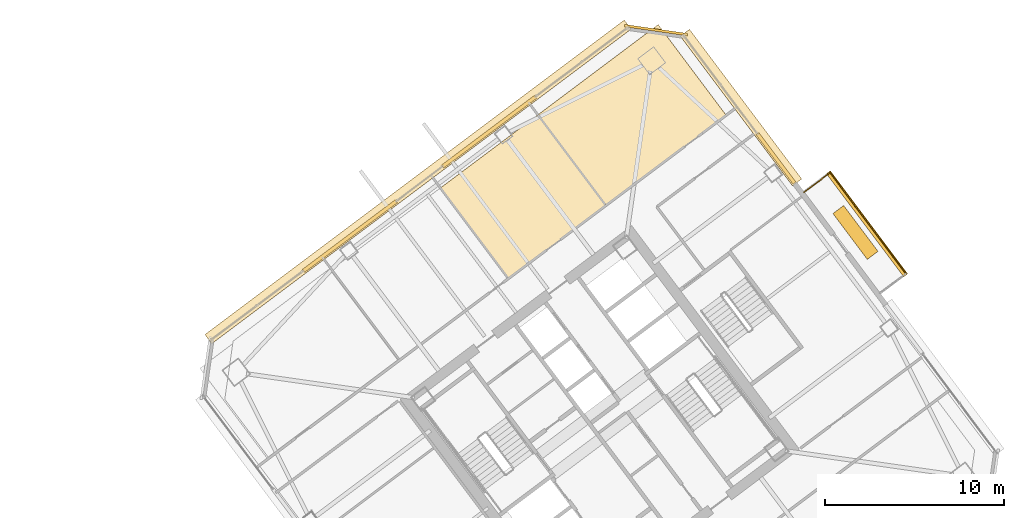
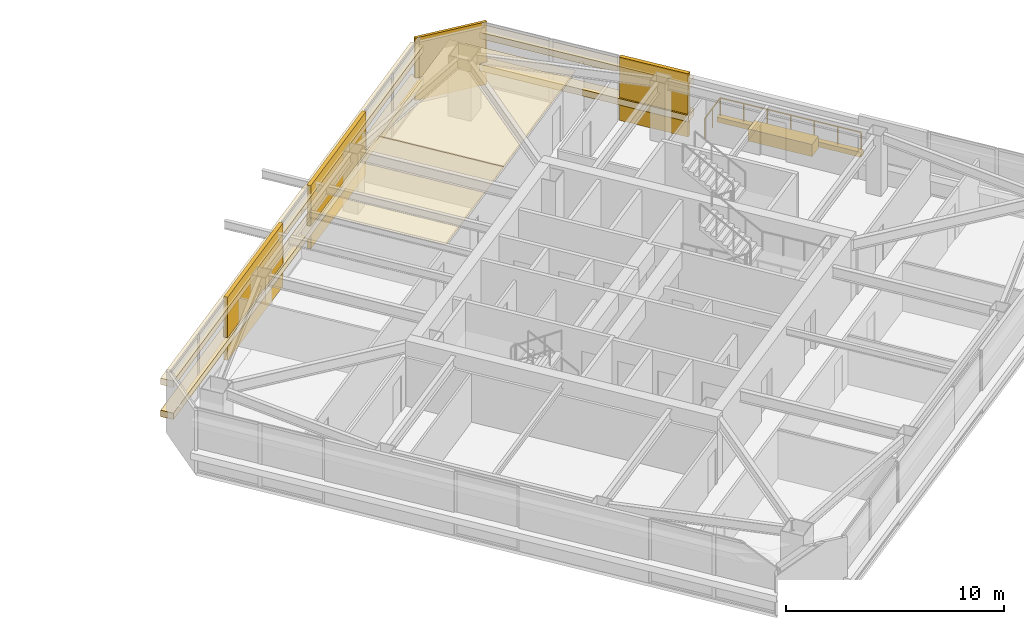
# One storey, part 43 of 43: 12 coverings, 2 railings.
"""IFC4 building model written with IfcOpenShell, lengths in metres."""

from ifc_helpers import new_model, si_unit, direction, frame, origin, origin_2d, place, context, subcontext, project, spatial, polyline, rectangle, outline, extrude, material, layer, layer_set, type_object, element, save


model = new_model("IFC4")

# Units and contexts
model_context = context("Model", 3, precision=1e-05, world=origin(), true_north=direction((0.0, 1.0)))
body_context = subcontext(model_context, "Body", "Model", "MODEL_VIEW")
ifc_project = project(units=[si_unit("LENGTHUNIT", "METRE"), si_unit("AREAUNIT", "SQUARE_METRE"), si_unit("VOLUMEUNIT", "CUBIC_METRE"), si_unit("PLANEANGLEUNIT", "RADIAN"), si_unit("MASSUNIT", "GRAM", prefix="KILO")], contexts=[model_context])

# Site, building, storey
site_placement = place(None, origin())
site = spatial("IfcSite", under=ifc_project, at=site_placement, CompositionType="ELEMENT")
building_placement = place(site_placement, origin())
building = spatial("IfcBuilding", under=site, at=building_placement, Name="Tashvorn Skyway Center", CompositionType="ELEMENT")
storey_placement = place(building_placement, frame((0.0, 0.0, 185.39990234375)))
storey = spatial("IfcBuildingStorey", under=building, at=storey_placement, Name="L50", CompositionType="ELEMENT", Elevation=185.39990234375)

# Coverings
ifc_material_1 = material(Name="Precast concrete C40/50", Category="concrete")
ifc_layer_1 = layer(ifc_material_1, 0.199951171875)
ifc_layer_set_1 = layer_set([ifc_layer_1], Name="Precast concrete C40/50")
covering_type_1 = type_object("IfcCoveringType", Name="COV-BRACE-CLAD", PredefinedType="CLADDING", material=ifc_layer_set_1)
for number, where, z_axis, x_axis, name in (
    (1, (100.0439453125, 42.508056640625, 0.0), (0.0, 0.0, 1.0), (0.799999996291, 0.600000004945, 0.0), "Tower 2 L50 North Unitised Curtain Wall Mega-Brace Cladding Band 1"),
    (2, (107.820068359375, 48.340087890625, 0.0), (0.0, 0.0, 1.0), (0.799999996291, 0.600000004945, 0.0), "Tower 2 L50 North Unitised Curtain Wall Mega-Brace Cladding Band 2"),
):
    element("IfcCovering", number, at=place(storey_placement, frame(where, z_axis=z_axis, x_axis=x_axis)), inside=storey, type_object=covering_type_1, Name=name, PredefinedType="CLADDING", context=body_context, shape_type="SweptSolid", body=[
        extrude(rectangle(XDim=6.47998046875, YDim=0.199951171875, at=origin_2d()), origin(), (0.0, 0.0, 1.0), 3.550048828125),
    ])
covering_1_placement = place(storey_placement, frame((123.841064453125, 46.845458984375, 0.0), z_axis=(0.0, 0.0, 1.0), x_axis=(0.600000004945, -0.799999996291, 0.0)))
element("IfcCovering", 3, at=covering_1_placement, inside=storey, type_object=covering_type_1, Name="Tower 2 L50 East Curtain Wall L Mega-Brace Cladding Band 1", PredefinedType="CLADDING", context=body_context, shape_type="SweptSolid", body=[
    extrude(rectangle(XDim=3.443359375, YDim=0.199951171875, at=origin_2d()), origin(), (0.0, 0.0, 1.0), 3.550048828125),
])
ifc_material_2 = material(Name="Mineral-fibre acoustic ceiling tile on suspended grid")
ifc_layer_2 = layer(ifc_material_2, 0.02001953125)
ifc_layer_set_2 = layer_set([ifc_layer_2], Name="Mineral-fibre acoustic ceiling tile on suspended grid")
covering_type_2 = type_object("IfcCoveringType", Name="COV-CEIL-20", PredefinedType="CEILING", material=ifc_layer_set_2)
covering_2_placement = place(storey_placement, frame((0.0, 0.0, 2.703125)))
element("IfcCovering", 4, at=covering_2_placement, inside=storey, type_object=covering_type_2, Name="Tower 2 L50 Corporate Office Acoustic Ceiling", PredefinedType="CEILING", context=body_context, shape_type="SweptSolid", body=[
    extrude(outline(polyline([(108.89794921875, 40.135986328125), (114.337890625, 44.216064453125), (110.5400390625, 49.280029296875), (105.10009765625, 45.199951171875), (108.89794921875, 40.135986328125)])), origin(), (0.0, 0.0, 1.0), 0.02001953125),
])
covering_3_placement = place(storey_placement, frame((0.0, 0.0, 2.703125)))
element("IfcCovering", 5, at=covering_3_placement, inside=storey, type_object=covering_type_2, Name="Tower 2 L50 Conference Room Acoustic Ceiling", PredefinedType="CEILING", context=body_context, shape_type="SweptSolid", body=[
    extrude(outline(polyline([(114.337890625, 44.216064453125), (121.05810546875, 49.256103515625), (117.260009765625, 54.320068359375), (110.5400390625, 49.280029296875), (114.337890625, 44.216064453125)])), origin(), (0.0, 0.0, 1.0), 0.02001953125),
])
ifc_material_3 = material(Name="Perforated ceramic-coated bronze aluminium solar screen", Category="aluminium")
ifc_layer_3 = layer(ifc_material_3, 0.85009765625)
ifc_layer_set_3 = layer_set([ifc_layer_3], Name="Perforated ceramic-coated bronze aluminium solar screen")
covering_type_3 = type_object("IfcCoveringType", Name="COV-SOLAR-BAND", PredefinedType="CLADDING", material=ifc_layer_set_3)
for number, where, z_axis, x_axis, name in (
    (6, (103.847900390625, 45.535888671875, 0.919921875), (0.0, 0.0, 1.0), (0.799999996291, 0.600000004945, 0.0), "L50 Perforated Ceramic-Metal Solar Screen Louvre Band North 1"),
    (7, (103.847900390625, 45.535888671875, 2.72021484375), (0.0, 0.0, 1.0), (0.799999996291, 0.600000004945, 0.0), "L50 Perforated Ceramic-Metal Solar Screen Louvre Band North 2"),
):
    element("IfcCovering", number, at=place(storey_placement, frame(where, z_axis=z_axis, x_axis=x_axis)), inside=storey, type_object=covering_type_3, Name=name, PredefinedType="CLADDING", context=body_context, shape_type="SweptSolid", body=[
        extrude(rectangle(XDim=29.280029296875, YDim=0.639892578125, at=origin_2d()), origin(), (0.0, 0.0, 1.0), 0.360107421875),
    ])
for number, where, z_axis, x_axis, name in (
    (8, (121.886962890625, 49.68408203125, 0.919921875), (0.0, 0.0, 1.0), (0.600000004945, -0.799999996291, 0.0), "L50 Perforated Ceramic-Metal Solar Screen Louvre Band East 1"),
    (9, (121.886962890625, 49.68408203125, 2.72021484375), (0.0, 0.0, 1.0), (0.600000004945, -0.799999996291, 0.0), "L50 Perforated Ceramic-Metal Solar Screen Louvre Band East 2"),
):
    element("IfcCovering", number, at=place(storey_placement, frame(where, z_axis=z_axis, x_axis=x_axis)), inside=storey, type_object=covering_type_3, Name=name, PredefinedType="CLADDING", context=body_context, shape_type="SweptSolid", body=[
        extrude(rectangle(XDim=10.449951171875, YDim=0.639892578125, at=origin_2d()), origin(), (0.0, 0.0, 1.0), 0.360107421875),
    ])
ifc_layer_4 = layer(ifc_material_1, 0.35009765625)
ifc_layer_set_4 = layer_set([ifc_layer_4], Name="Precast concrete C40/50")
covering_type_4 = type_object("IfcCoveringType", Name="COV-STONE-TRIM", PredefinedType="CLADDING", material=ifc_layer_set_4)
covering_4_placement = place(storey_placement, frame((128.927978515625, 43.196044921875, -0.16015625), z_axis=(0.0, 0.0, 1.0), x_axis=(0.600000004945, -0.799999996291, 0.0)))
element("IfcCovering", 10, at=covering_4_placement, inside=storey, type_object=covering_type_4, Name="Tower 2 L50 Spiral Terrace Terracotta Fascia", PredefinedType="CLADDING", context=body_context, shape_type="SweptSolid", body=[
    extrude(rectangle(XDim=7.199951171875, YDim=0.280029296875, at=origin_2d()), origin(), (0.0, 0.0, 1.0), 0.280029296875),
])
covering_5_placement = place(storey_placement, frame((128.280029296875, 42.7099609375, 0.0), z_axis=(0.0, 0.0, 1.0), x_axis=(0.600000004945, -0.799999996291, 0.0)))
element("IfcCovering", 11, at=covering_5_placement, inside=storey, type_object=covering_type_4, Name="Tower 2 L50 Spiral Terrace Planter", PredefinedType="CLADDING", context=body_context, shape_type="SweptSolid", body=[
    extrude(rectangle(XDim=3.199951171875, YDim=0.75, at=origin_2d()), origin(), (0.0, 0.0, 1.0), 0.679931640625),
])
covering_6_placement = place(storey_placement, frame((117.14404296875, 54.008056640625, 0.02001953125), z_axis=(0.0, 0.0, 1.0), x_axis=(0.989949494535, -0.141421350118, 0.0)))
element("IfcCovering", 12, at=covering_6_placement, inside=storey, type_object=covering_type_4, Name="Tower 2 L50 NE Mojave Limestone Corner Quoin", PredefinedType="CLADDING", context=body_context, shape_type="SweptSolid", body=[
    extrude(rectangle(XDim=3.55419921875, YDim=0.139892578125, at=origin_2d()), origin(), (0.0, 0.0, 1.0), 3.510009765625),
])

# Railings
ifc_material_4 = material(Name="Galvanized steel S355", Category="steel")
railing_type = type_object("IfcRailingType", Name="RAIL-GUARD-1120", PredefinedType="GUARDRAIL", material=ifc_material_4)
railing_1_placement = place(storey_placement, frame((131.087890625, 40.416015625, 0.0)))
element("IfcRailing", 13, at=railing_1_placement, inside=storey, type_object=railing_type, Name="L50 Tower 2 Terrace Guardrail 02", PredefinedType="GUARDRAIL", context=body_context, shape_type="SweptSolid", body=[
    extrude(rectangle(XDim=0.048095703125, YDim=0.048095703125, at=origin_2d()), frame((0.0, 0.0, 1.09619140625), z_axis=(-0.599983353895, 0.800012484308, 0.0), x_axis=(-0.800012484308, -0.599983353895, 0.0)), (0.0, 0.0, 1.0), 7.0400390625),
    extrude(rectangle(XDim=0.0419921875, YDim=0.0419921875, at=origin_2d()), origin(), (0.0, 0.0, 1.0), 1.072021484375),
    extrude(rectangle(XDim=0.0419921875, YDim=0.0419921875, at=origin_2d()), frame((-0.7041015625, 0.938720703125, 0.0)), (0.0, 0.0, 1.0), 1.072021484375),
    extrude(rectangle(XDim=0.0419921875, YDim=0.0419921875, at=origin_2d()), frame((-1.407958984375, 1.87744140625, 0.0)), (0.0, 0.0, 1.0), 1.072021484375),
    extrude(rectangle(XDim=0.0419921875, YDim=0.0419921875, at=origin_2d()), frame((-2.11181640625, 2.81591796875, 0.0)), (0.0, 0.0, 1.0), 1.072021484375),
    extrude(rectangle(XDim=0.0419921875, YDim=0.0419921875, at=origin_2d()), frame((-2.81591796875, 3.754638671875, 0.0)), (0.0, 0.0, 1.0), 1.072021484375),
    extrude(rectangle(XDim=0.0419921875, YDim=0.0419921875, at=origin_2d()), frame((-3.52001953125, 4.693359375, 0.0)), (0.0, 0.0, 1.0), 1.072021484375),
    extrude(rectangle(XDim=0.0419921875, YDim=0.0419921875, at=origin_2d()), frame((-4.223876953125, 5.632080078125, 0.0)), (0.0, 0.0, 1.0), 1.072021484375),
])
railing_2_placement = place(storey_placement, frame((126.864013671875, 46.048095703125, 0.0)))
element("IfcRailing", 14, at=railing_2_placement, inside=storey, type_object=railing_type, Name="L50 Tower 2 Terrace Guardrail 03", PredefinedType="GUARDRAIL", context=body_context, shape_type="SweptSolid", body=[
    extrude(rectangle(XDim=0.048095703125, YDim=0.048095703125, at=origin_2d()), frame((0.0, 0.0, 1.09619140625), z_axis=(-0.8, -0.6, 0.0), x_axis=(0.6, -0.8, 0.0)), (0.0, 0.0, 1.0), 1.820068359375),
    extrude(rectangle(XDim=0.0419921875, YDim=0.0419921875, at=origin_2d()), origin(), (0.0, 0.0, 1.0), 1.072021484375),
    extrude(rectangle(XDim=0.0419921875, YDim=0.0419921875, at=origin_2d()), frame((-0.72802734375, -0.5458984375, 0.0)), (0.0, 0.0, 1.0), 1.072021484375),
    extrude(rectangle(XDim=0.0419921875, YDim=0.0419921875, at=origin_2d()), frame((-1.4560546875, -1.092041015625, 0.0)), (0.0, 0.0, 1.0), 1.072021484375),
])

save(model, "model.ifc")
